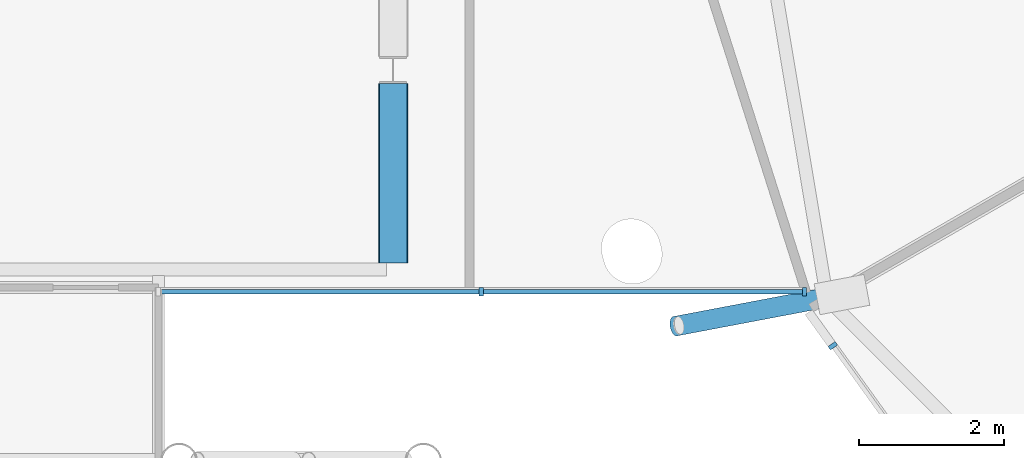
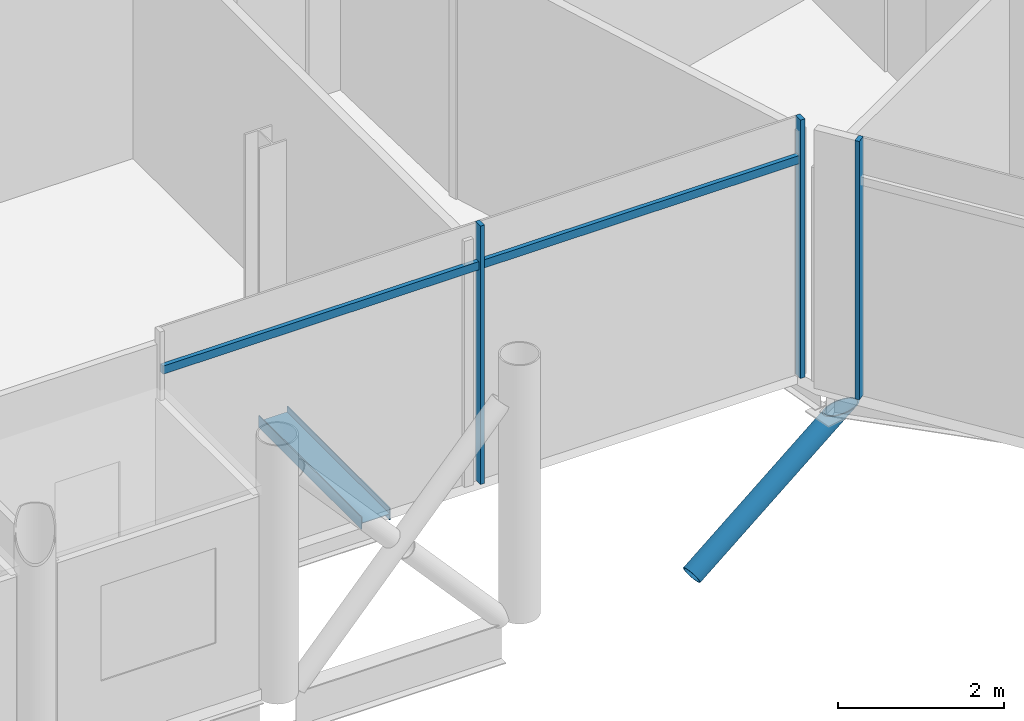
# One storey, part 7 of 40: 6 members, 1 beam, 2 elements without a shape of their own.
"""IFC4 building model written with IfcOpenShell, lengths in metres."""

from ifc_helpers import new_model, si_unit, direction, frame, origin, origin_2d, place, context, subcontext, project, spatial, rectangle, hollow_circle, i_section, extrude, clip, halfspace, material, material_profile, profile_set, type_object, element, aggregate, save


model = new_model("IFC4")

# Units and contexts
model_context = context("Model", 3, precision=1e-05, world=origin(), true_north=direction((0.0, 1.0)))
body_context = subcontext(model_context, "Body", "Model", "MODEL_VIEW")
ifc_project = project(units=[si_unit("LENGTHUNIT", "METRE"), si_unit("AREAUNIT", "SQUARE_METRE"), si_unit("VOLUMEUNIT", "CUBIC_METRE"), si_unit("PLANEANGLEUNIT", "RADIAN"), si_unit("MASSUNIT", "GRAM", prefix="KILO")], contexts=[model_context])

# Site, building, storey
site_placement = place(None, origin())
site = spatial("IfcSite", under=ifc_project, at=site_placement, CompositionType="ELEMENT")
building_placement = place(site_placement, origin())
building = spatial("IfcBuilding", under=site, at=building_placement, Name="Rimbun Link Towers", CompositionType="ELEMENT")
storey_placement = place(building_placement, frame((0.0, 0.0, 150.60009765625)))
storey = spatial("IfcBuildingStorey", under=building, at=storey_placement, Name="L36", CompositionType="ELEMENT", Elevation=150.60009765625)

# Curtain wall, member
ifc_material_1 = material(Name="Aluminium 6063-T6 and low-iron glass", Category="aluminium")
curtain_wall_type = type_object("IfcCurtainWallType", Name="CW4 link block wall", PredefinedType="NOTDEFINED", material=ifc_material_1)
curtain_wall_1_placement = place(storey_placement, origin())
curtain_wall_1 = element("IfcCurtainWall", 1, at=curtain_wall_1_placement, inside=storey, type_object=curtain_wall_type, Name="CW4 L36 T2", PredefinedType="NOTDEFINED")
ifc_material_2 = material(Name="Aluminium 6063-T6", Category="aluminium")
ifc_material_profile_1 = material_profile(ifc_material_2, rectangle(XDim=0.1201171875, YDim=0.06005859375, at=origin_2d()), Name="MULLION 60X120")
ifc_profile_set_1 = profile_set([ifc_material_profile_1], Name="Aluminium 6063-T6")
member_type_1 = type_object("IfcMemberType", Name="CW4 mullion 60X120", PredefinedType="MULLION", material=ifc_profile_set_1)
member_1_placement = place(storey_placement, frame((12.51171875, -11.803466796875, 0.0), z_axis=(0.0, 0.0, 1.0), x_axis=(-0.81246534364, -0.58300948996, 0.0)))
member_1 = element("IfcMember", 2, at=member_1_placement, type_object=member_type_1, Name="CW4 mullion", PredefinedType="MULLION", context=body_context, shape_type="SweptSolid", body=[
    extrude(rectangle(XDim=0.1201171875, YDim=0.06005859375, at=origin_2d()), origin(), (0.0, 0.0, 1.0), 3.7998046875),
])
aggregate(curtain_wall_1, [member_1])

# Curtain wall, members
curtain_wall_2_placement = place(storey_placement, origin())
curtain_wall_2 = element("IfcCurtainWall", 3, at=curtain_wall_2_placement, inside=storey, type_object=curtain_wall_type, Name="CW4 L36 LB", PredefinedType="NOTDEFINED")
member_2_placement = place(storey_placement, frame((12.121337890625, -11.06005859375, 0.0), z_axis=(0.0, 0.0, 1.0), x_axis=(0.0, -1.0, 0.0)))
member_2 = element("IfcMember", 4, at=member_2_placement, type_object=member_type_1, Name="CW4 mullion", PredefinedType="MULLION", context=body_context, shape_type="SweptSolid", body=[
    extrude(rectangle(XDim=0.1201171875, YDim=0.06005859375, at=origin_2d()), origin(), (0.0, 0.0, 1.0), 3.7998046875),
])
member_3_placement = place(storey_placement, frame((7.667236328125, -11.06005859375, 0.0), z_axis=(0.0, 0.0, 1.0), x_axis=(0.0, -1.0, 0.0)))
member_3 = element("IfcMember", 5, at=member_3_placement, type_object=member_type_1, Name="CW4 mullion", PredefinedType="MULLION", context=body_context, shape_type="SweptSolid", body=[
    extrude(rectangle(XDim=0.1201171875, YDim=0.06005859375, at=origin_2d()), origin(), (0.0, 0.0, 1.0), 3.7998046875),
])
ifc_material_3 = material(Name="Aluminium 6063-T6", Category="aluminium")
ifc_material_profile_2 = material_profile(ifc_material_3, rectangle(XDim=0.06005859375, YDim=0.1201171875, at=origin_2d()), Name="TRANSOM 60X120")
ifc_profile_set_2 = profile_set([ifc_material_profile_2], Name="Aluminium 6063-T6")
member_type_2 = type_object("IfcMemberType", Name="CW4 transom 60X120", PredefinedType="USERDEFINED", material=ifc_profile_set_2)
member_4_placement = place(storey_placement, frame((12.09130859375, -11.05810546875, 3.199951171875), z_axis=(-1.0, 0.0, 0.0), x_axis=(0.0, -1.0, 0.0)))
member_4 = element("IfcMember", 6, at=member_4_placement, type_object=member_type_2, Name="CW4 transom", ObjectType="TRANSOM", PredefinedType="USERDEFINED", context=body_context, shape_type="SweptSolid", body=[
    extrude(rectangle(XDim=0.06005859375, YDim=0.1201171875, at=origin_2d()), origin(), (0.0, 0.0, 1.0), 4.39404296875),
])
member_5_placement = place(storey_placement, frame((7.63720703125, -11.05810546875, 3.199951171875), z_axis=(-1.0, 0.0, 0.0), x_axis=(0.0, -1.0, 0.0)))
member_5 = element("IfcMember", 7, at=member_5_placement, type_object=member_type_2, Name="CW4 transom", ObjectType="TRANSOM", PredefinedType="USERDEFINED", context=body_context, shape_type="SweptSolid", body=[
    extrude(rectangle(XDim=0.06005859375, YDim=0.1201171875, at=origin_2d()), origin(), (0.0, 0.0, 1.0), 4.393798828125),
])
aggregate(curtain_wall_2, [member_2, member_3, member_4, member_5])

# Member
ifc_material_4 = material(Name="Steel S355J2H", Category="steel")
ifc_material_profile_3 = material_profile(ifc_material_4, hollow_circle(Radius=0.136474609375, WallThickness=0.012451171875, at=origin_2d()), Name="CHS 273x12.5")
ifc_profile_set_3 = profile_set([ifc_material_profile_3], Name="Steel S355J2H")
member_type_3 = type_object("IfcMemberType", Name="Floor edge link CHS 273x12.5", PredefinedType="BRACE", material=ifc_profile_set_3)
member_6_placement = place(storey_placement, frame((12.4755859375, -11.128173828125, -0.750732421875), z_axis=(-0.847280969752, -0.160741303976, -0.506238275413), x_axis=(0.18638971179, -0.982475890462, 0.0)))
element("IfcMember", 8, at=member_6_placement, inside=storey, type_object=member_type_3, Name="Floor edge link T2 L36 11", PredefinedType="BRACE", context=body_context, shape_type="Clipping", body=[
    clip(extrude(hollow_circle(Radius=0.136474609375, WallThickness=0.012451171875, at=origin_2d()), frame((0.0, 0.0, -0.48486328125)), (0.0, 0.0, 1.0), 3.006103515625), halfspace(frame((0.0, 0.0, -0.2275390625), z_axis=(0.0, 0.862393650549, -0.506238275413)), False)),
])

# Beam
ifc_material_5 = material(Name="Steel S355J2", Category="steel")
ifc_material_profile_4 = material_profile(ifc_material_5, i_section(OverallWidth=0.177978515625, OverallDepth=0.406494140625, WebThickness=0.0078125, FlangeThickness=0.0126953125, at=origin_2d()), Name="UKB 406x178x60")
ifc_profile_set_4 = profile_set([ifc_material_profile_4], Name="Steel S355J2")
beam_type = type_object("IfcBeamType", Name="Link floor beam UKB 406x178x60", PredefinedType="BEAM", material=ifc_profile_set_4)
beam_placement = place(storey_placement, frame((6.449951171875, -10.660888671875, -0.36328125), z_axis=(0.0, 1.0, 0.0), x_axis=(0.0, 0.0, 1.0)))
element("IfcBeam", 9, at=beam_placement, inside=storey, type_object=beam_type, Name="Link floor beam L36 08", PredefinedType="BEAM", context=body_context, shape_type="SweptSolid", body=[
    extrude(i_section(OverallWidth=0.177978515625, OverallDepth=0.406494140625, WebThickness=0.0078125, FlangeThickness=0.0126953125, at=origin_2d()), origin(), (0.0, 0.0, 1.0), 2.473388671875),
])

save(model, "model.ifc")
